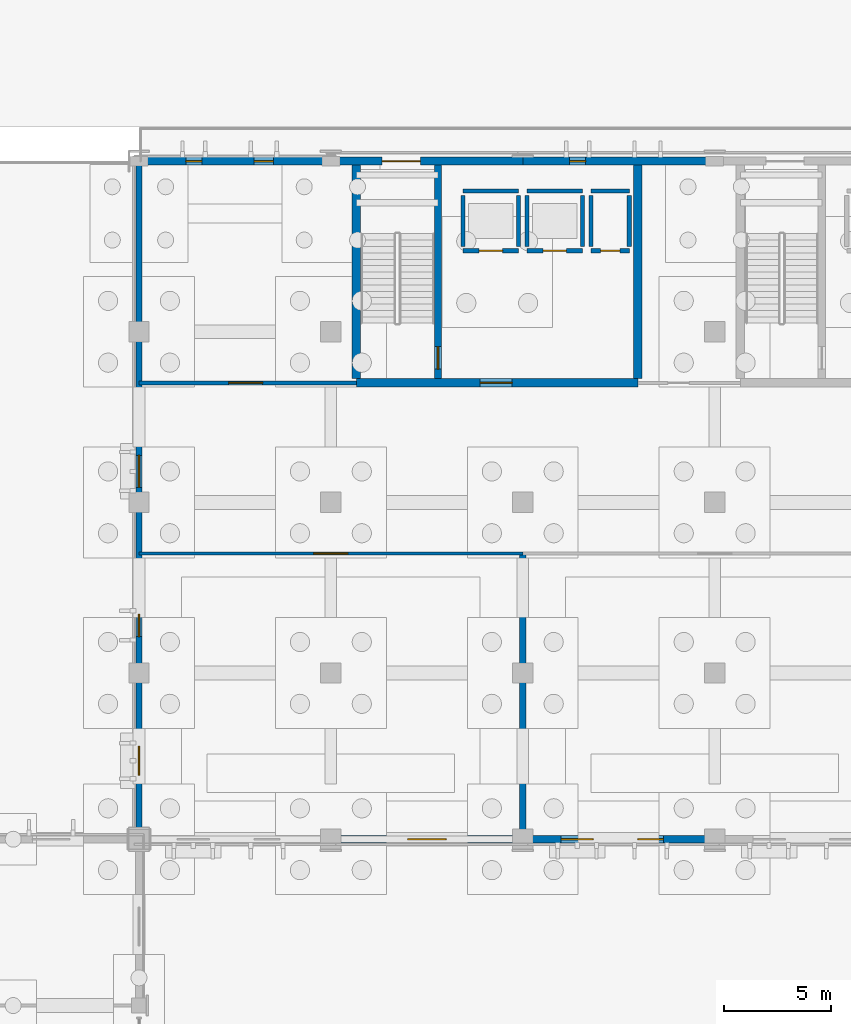
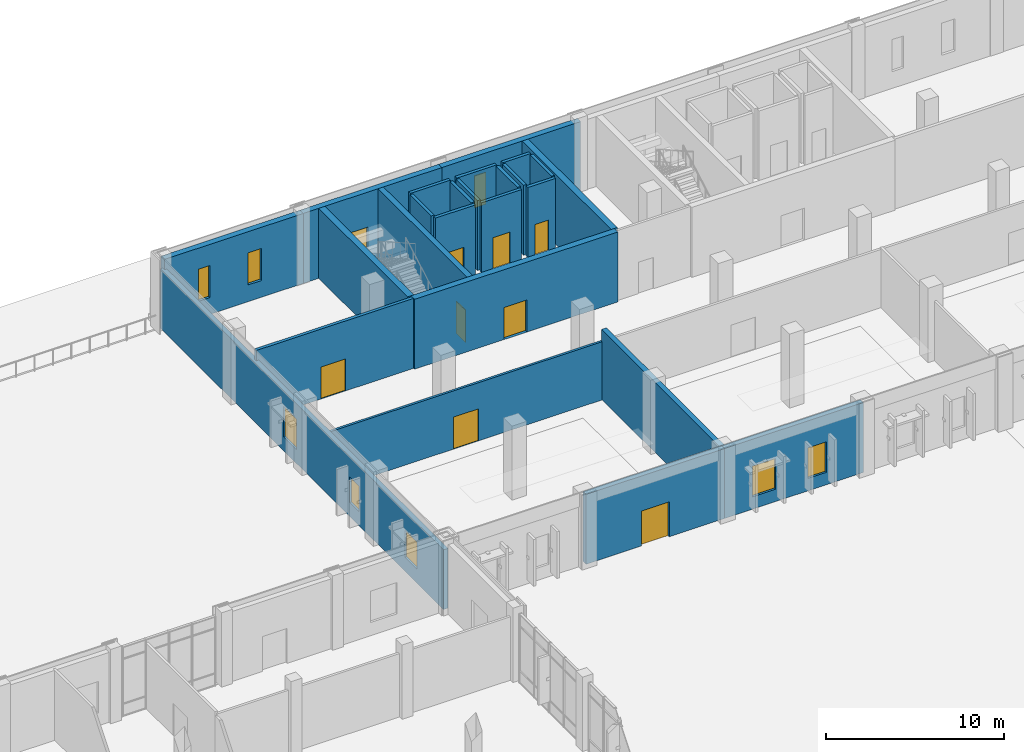
# One storey, part 66 of 94: 25 walls, 9 doors, 8 windows, 17 openings.
"""IFC4 building model written with IfcOpenShell, lengths in metres."""

from ifc_helpers import new_model, si_unit, direction, frame, frame_2d, origin, place, context, subcontext, project, spatial, rectangle, extrude, material, layer, layer_set, type_object, element, fill, save


model = new_model("IFC4")

# Units and contexts
model_context = context("Model", 3, precision=1e-05, world=origin(), true_north=direction((0.0, 1.0)))
body_context = subcontext(model_context, "Body", "Model", "MODEL_VIEW")
ifc_project = project(units=[si_unit("LENGTHUNIT", "METRE"), si_unit("AREAUNIT", "SQUARE_METRE"), si_unit("VOLUMEUNIT", "CUBIC_METRE"), si_unit("PLANEANGLEUNIT", "RADIAN"), si_unit("MASSUNIT", "GRAM", prefix="KILO")], contexts=[model_context])

# Site, building, storey
site_placement = place(None, origin())
site = spatial("IfcSite", under=ifc_project, at=site_placement, CompositionType="ELEMENT")
building_placement = place(site_placement, origin())
building = spatial("IfcBuilding", under=site, at=building_placement, Name="Vervanel Yard Central Library", CompositionType="ELEMENT")
storey_placement = place(building_placement, origin())
storey = spatial("IfcBuildingStorey", under=building, at=storey_placement, Name="L00", CompositionType="ELEMENT", Elevation=0.0)

# Wall, openings, windows
ifc_material_1 = material(Name="Precast concrete C45/55", Category="concrete")
ifc_layer_1 = layer(ifc_material_1, 0.300048828125, Category="concrete")
ifc_layer_set_1 = layer_set([ifc_layer_1], Name="Precast concrete C45/55")
wall_type_1 = type_object("IfcWallType", Name="Bush-Hammered Precast Cladding Wall 300", PredefinedType="SOLIDWALL", material=ifc_layer_set_1)
wall_1_placement = place(storey_placement, frame((36.0, 82.199951171875, 0.0), z_axis=(0.0, 0.0, 1.0), x_axis=(0.0, 1.0, 0.0)))
wall_1 = element("IfcWall", 1, at=wall_1_placement, inside=storey, type_object=wall_type_1, Name="L00 Bush-Hammered Precast Cladding Wall 300 EWALL-L00-0017", PredefinedType="SOLIDWALL", context=body_context, shape_type="SweptSolid", body=[
    extrude(rectangle(XDim=31.800048828125, YDim=0.300048828125, at=frame_2d((15.89990234375, 0.0))), origin(), (0.0, 0.0, 1.0), 4.094970703125),
])
opening_1_placement = place(wall_1_placement, frame((3.0, 0.0, 0.949951171875)))
opening_1 = element("IfcOpeningElement", 2, at=opening_1_placement, cuts=wall_1, Name="Opening WN-17", PredefinedType="OPENING", context=body_context, shape_type="SweptSolid", body=[
    extrude(rectangle(XDim=1.35009765625, YDim=1.85009765625, at=frame_2d((0.675048828125, 0.925048828125))), frame((0.0, 0.159912109375, 0.0), z_axis=(0.0, -1.0, 0.0), x_axis=(1.0, 0.0, 0.0)), (0.0, 0.0, 1.0), 0.320068359375),
])
opening_2_placement = place(wall_1_placement, frame((9.5, 0.0, 0.949951171875)))
opening_2 = element("IfcOpeningElement", 3, at=opening_2_placement, cuts=wall_1, Name="Opening WN-16", PredefinedType="OPENING", context=body_context, shape_type="SweptSolid", body=[
    extrude(rectangle(XDim=1.050048828125, YDim=1.75, at=frame_2d((0.52490234375, 0.875))), frame((0.0, 0.159912109375, 0.0), z_axis=(0.0, -1.0, 0.0), x_axis=(1.0, 0.0, 0.0)), (0.0, 0.0, 1.0), 0.320068359375),
])
opening_3_placement = place(wall_1_placement, frame((16.5, 0.0, 0.949951171875)))
opening_3 = element("IfcOpeningElement", 4, at=opening_3_placement, cuts=wall_1, Name="Opening WN-02", PredefinedType="OPENING", context=body_context, shape_type="SweptSolid", body=[
    extrude(rectangle(XDim=1.5, YDim=2.10009765625, at=frame_2d((0.75, 1.050048828125))), frame((0.0, 0.159912109375, 0.0), z_axis=(0.0, -1.0, 0.0), x_axis=(1.0, 0.0, 0.0)), (0.0, 0.0, 1.0), 0.320068359375),
])
ifc_material_2 = material(Name="Double low-E laminated solar-control glass", Category="glass")
window_type_1 = type_object("IfcWindowType", Name="Archive Office Window 1350x1850", PartitioningType="SINGLE_PANEL", PredefinedType="WINDOW", material=ifc_material_2)
window_1_placement = place(opening_1_placement, origin())
window_1 = element("IfcWindow", 5, at=window_1_placement, inside=storey, type_object=window_type_1, Name="L00 Archive Office Window 1350x1850 25", OverallHeight=1.85009765625, OverallWidth=1.35009765625, PartitioningType="SINGLE_PANEL", PredefinedType="WINDOW", context=body_context, shape_type="SweptSolid", body=[
    extrude(rectangle(XDim=1.35009765625, YDim=1.85009765625, at=frame_2d((0.675048828125, 0.925048828125))), frame((0.0, 0.030029296875, 0.0), z_axis=(0.0, -1.0, 0.0), x_axis=(1.0, 0.0, 0.0)), (0.0, 0.0, 1.0), 0.06005859375),
])
fill(opening_1, window_1)
window_type_2 = type_object("IfcWindowType", Name="Reading Bay Window 1500x2100", PartitioningType="SINGLE_PANEL", PredefinedType="WINDOW", material=ifc_material_2)
window_2_placement = place(opening_3_placement, origin())
window_2 = element("IfcWindow", 6, at=window_2_placement, inside=storey, type_object=window_type_2, Name="L00 Reading Bay Window 1500x2100 27", OverallHeight=2.10009765625, OverallWidth=1.5, PartitioningType="SINGLE_PANEL", PredefinedType="WINDOW", context=body_context, shape_type="SweptSolid", body=[
    extrude(rectangle(XDim=1.5, YDim=2.10009765625, at=frame_2d((0.75, 1.050048828125))), frame((0.0, 0.030029296875, 0.0), z_axis=(0.0, -1.0, 0.0), x_axis=(1.0, 0.0, 0.0)), (0.0, 0.0, 1.0), 0.06005859375),
])
fill(opening_3, window_2)
window_type_3 = type_object("IfcWindowType", Name="Study Carrel Punch Window 1050x1750", PartitioningType="SINGLE_PANEL", PredefinedType="WINDOW", material=ifc_material_2)
window_3_placement = place(opening_2_placement, origin())
window_3 = element("IfcWindow", 7, at=window_3_placement, inside=storey, type_object=window_type_3, Name="L00 Study Carrel Punch Window 1050x1750 26", OverallHeight=1.75, OverallWidth=1.050048828125, PartitioningType="SINGLE_PANEL", PredefinedType="WINDOW", context=body_context, shape_type="SweptSolid", body=[
    extrude(rectangle(XDim=1.050048828125, YDim=1.75, at=frame_2d((0.52490234375, 0.875))), frame((0.0, 0.030029296875, 0.0), z_axis=(0.0, -1.0, 0.0), x_axis=(1.0, 0.0, 0.0)), (0.0, 0.0, 1.0), 0.06005859375),
])
fill(opening_2, window_3)

# Wall, opening, door
ifc_material_3 = material(Name="Concrete C45/55", Category="concrete")
ifc_layer_2 = layer(ifc_material_3, 0.39990234375, Category="concrete")
ifc_layer_set_2 = layer_set([ifc_layer_2], Name="Concrete C45/55")
wall_type_2 = type_object("IfcWallType", Name="Core Primary Shear Wall 400", PredefinedType="SHEAR", material=ifc_layer_set_2)
wall_2_placement = place(storey_placement, frame((46.199951171875, 103.60009765625, 0.0), z_axis=(0.0, 0.0, 1.0), x_axis=(1.0, 0.0, 0.0)))
wall_2 = element("IfcWall", 8, at=wall_2_placement, inside=storey, type_object=wall_type_2, Name="L00 CORE-A Shear Wall S", PredefinedType="SHEAR", context=body_context, shape_type="SweptSolid", body=[
    extrude(rectangle(XDim=13.199951171875, YDim=0.39990234375, at=frame_2d((6.60009765625, 0.0))), origin(), (0.0, 0.0, 1.0), 4.800048828125),
])
opening_4_placement = place(wall_2_placement, frame((5.800048828125, 0.0, 0.0)))
opening_4 = element("IfcOpeningElement", 9, at=opening_4_placement, cuts=wall_2, Name="Opening DR-F02", PredefinedType="OPENING", context=body_context, shape_type="SweptSolid", body=[
    extrude(rectangle(XDim=1.5, YDim=2.199951171875, at=frame_2d((0.75, 1.10009765625))), frame((0.0, 0.2099609375, 0.0), z_axis=(0.0, -1.0, 0.0), x_axis=(1.0, 0.0, 0.0)), (0.0, 0.0, 1.0), 0.419921875),
])
ifc_material_4 = material(Name="Galvanized painted steelwork ASTM A500 Grade C", Category="steel")
door_type_1 = type_object("IfcDoorType", Name="Fire-Rated Lobby Door 1500x2200", OperationType="NOTDEFINED", PredefinedType="DOOR", material=ifc_material_4)
door_1_placement = place(opening_4_placement, origin())
door_1 = element("IfcDoor", 10, at=door_1_placement, inside=storey, type_object=door_type_1, Name="L00 CORE-A Lobby Fire Door", OperationType="DOUBLE_DOOR_SINGLE_SWING", OverallHeight=2.199951171875, OverallWidth=1.5, PredefinedType="DOOR", context=body_context, shape_type="SweptSolid", body=[
    extrude(rectangle(XDim=1.5, YDim=2.199951171875, at=frame_2d((0.75, 1.10009765625))), frame((0.0, 0.02490234375, 0.0), z_axis=(0.0, -1.0, 0.0), x_axis=(1.0, 0.0, 0.0)), (0.0, 0.0, 1.0), 0.050048828125),
])
fill(opening_4, door_1)

# Walls
for number, where, z_axis, x_axis, name in (
    (11, (46.199951171875, 103.800048828125, 0.0), (0.0, 0.0, 1.0), (0.0, 1.0, 0.0), "L00 CORE-A Shear Wall W"),
    (12, (59.39990234375, 103.800048828125, 0.0), (0.0, 0.0, 1.0), (0.0, 1.0, 0.0), "L00 CORE-A Shear Wall E"),
):
    element("IfcWall", number, at=place(storey_placement, frame(where, z_axis=z_axis, x_axis=x_axis)), inside=storey, type_object=wall_type_2, Name=name, PredefinedType="SHEAR", context=body_context, shape_type="SweptSolid", body=[
        extrude(rectangle(XDim=10.010009765625, YDim=0.39990234375, at=frame_2d((5.0048828125, 0.0))), origin(), (0.0, 0.0, 1.0), 4.800048828125),
    ])

# Wall, opening, door
ifc_layer_3 = layer(ifc_material_3, 0.35009765625, Category="concrete")
ifc_layer_set_3 = layer_set([ifc_layer_3], Name="Concrete C45/55")
wall_type_3 = type_object("IfcWallType", Name="Core Secondary Shear Wall 350", PredefinedType="SHEAR", material=ifc_layer_set_3)
wall_3_placement = place(storey_placement, frame((50.02490234375, 103.800048828125, 0.0), z_axis=(0.0, 0.0, 1.0), x_axis=(0.0, 1.0, 0.0)))
wall_3 = element("IfcWall", 13, at=wall_3_placement, inside=storey, type_object=wall_type_3, Name="L00 CORE-A Stair Shaft Wall", PredefinedType="SHEAR", context=body_context, shape_type="SweptSolid", body=[
    extrude(rectangle(XDim=10.010009765625, YDim=0.35009765625, at=frame_2d((5.0048828125, 0.0))), origin(), (0.0, 0.0, 1.0), 4.800048828125),
])
opening_5_placement = place(wall_3_placement, frame((0.449951171875, 0.0, 0.0)))
opening_5 = element("IfcOpeningElement", 14, at=opening_5_placement, cuts=wall_3, Name="Opening DR-F01", PredefinedType="OPENING", context=body_context, shape_type="SweptSolid", body=[
    extrude(rectangle(XDim=1.050048828125, YDim=2.199951171875, at=frame_2d((0.52490234375, 1.10009765625))), frame((0.0, 0.18505859375, 0.0), z_axis=(0.0, -1.0, 0.0), x_axis=(1.0, 0.0, 0.0)), (0.0, 0.0, 1.0), 0.3701171875),
])
door_type_2 = type_object("IfcDoorType", Name="Fire-Rated Stair Exit Door 1050x2200", OperationType="NOTDEFINED", PredefinedType="DOOR", material=ifc_material_4)
door_2_placement = place(opening_5_placement, origin())
door_2 = element("IfcDoor", 15, at=door_2_placement, inside=storey, type_object=door_type_2, Name="L00 CORE-A Stair Door", OperationType="SINGLE_SWING_LEFT", OverallHeight=2.199951171875, OverallWidth=1.050048828125, PredefinedType="DOOR", context=body_context, shape_type="SweptSolid", body=[
    extrude(rectangle(XDim=1.050048828125, YDim=2.199951171875, at=frame_2d((0.52490234375, 1.10009765625))), frame((0.0, 0.02490234375, 0.0), z_axis=(0.0, -1.0, 0.0), x_axis=(1.0, 0.0, 0.0)), (0.0, 0.0, 1.0), 0.050048828125),
])
fill(opening_5, door_2)

ifc_layer_4 = layer(ifc_material_3, 0.340087890625, Category="concrete")
ifc_layer_set_4 = layer_set([ifc_layer_4], Name="Concrete C45/55")
wall_type_4 = type_object("IfcWallType", Name="Exterior Bearing Concrete Frame Wall 340", PredefinedType="SOLIDWALL", material=ifc_layer_set_4)
wall_4_placement = place(storey_placement, frame((45.0, 82.199951171875, 0.0), z_axis=(0.0, 0.0, 1.0), x_axis=(1.0, 0.0, 0.0)))
wall_4 = element("IfcWall", 16, at=wall_4_placement, inside=storey, type_object=wall_type_4, Name="L00 Exterior Bearing Concrete Frame Wall 340 EWALL-L00-0012", PredefinedType="SOLIDWALL", context=body_context, shape_type="SweptSolid", body=[
    extrude(rectangle(XDim=9.0, YDim=0.340087890625, at=frame_2d((4.5, 0.0))), origin(), (0.0, 0.0, 1.0), 4.800048828125),
])
opening_6_placement = place(wall_4_placement, frame((3.60009765625, 0.0, 0.0)))
opening_6 = element("IfcOpeningElement", 17, at=opening_6_placement, cuts=wall_4, Name="Opening DR-E02", PredefinedType="OPENING", context=body_context, shape_type="SweptSolid", body=[
    extrude(rectangle(XDim=1.800048828125, YDim=2.39990234375, at=frame_2d((0.89990234375, 1.199951171875))), frame((0.0, 0.179931640625, 0.0), z_axis=(0.0, -1.0, 0.0), x_axis=(1.0, 0.0, 0.0)), (0.0, 0.0, 1.0), 0.360107421875),
])
ifc_material_5 = material(Name="Galvanized hollow steel door assembly", Category="steel")
door_type_3 = type_object("IfcDoorType", Name="Double Pedestrian Exit Door 1800x2400", OperationType="NOTDEFINED", PredefinedType="DOOR", material=ifc_material_5)
door_3_placement = place(opening_6_placement, frame((1.800048828125, 0.0, 0.0), z_axis=(0.0, 0.0, 1.0), x_axis=(-1.0, 0.0, 0.0)))
door_3 = element("IfcDoor", 18, at=door_3_placement, inside=storey, type_object=door_type_3, Name="L00 Double Pedestrian Exit Door 1800x2400 7", OperationType="DOUBLE_DOOR_SINGLE_SWING", OverallHeight=2.39990234375, OverallWidth=1.800048828125, PredefinedType="DOOR", context=body_context, shape_type="SweptSolid", body=[
    extrude(rectangle(XDim=1.800048828125, YDim=2.39990234375, at=frame_2d((0.89990234375, 1.199951171875))), frame((0.0, 0.02490234375, 0.0), z_axis=(0.0, -1.0, 0.0), x_axis=(1.0, 0.0, 0.0)), (0.0, 0.0, 1.0), 0.050048828125),
])
fill(opening_6, door_3)

# Wall, openings, windows
wall_5_placement = place(storey_placement, frame((54.0, 82.199951171875, 0.0), z_axis=(0.0, 0.0, 1.0), x_axis=(1.0, 0.0, 0.0)))
wall_5 = element("IfcWall", 19, at=wall_5_placement, inside=storey, type_object=wall_type_4, Name="L00 Exterior Bearing Concrete Frame Wall 340 EWALL-L00-0013", PredefinedType="SOLIDWALL", context=body_context, shape_type="SweptSolid", body=[
    extrude(rectangle(XDim=9.0, YDim=0.340087890625, at=frame_2d((4.5, 0.0))), origin(), (0.0, 0.0, 1.0), 4.800048828125),
])
opening_7_placement = place(wall_5_placement, frame((1.800048828125, 0.0, 0.85009765625)))
opening_7 = element("IfcOpeningElement", 20, at=opening_7_placement, cuts=wall_5, Name="Opening WN-02", PredefinedType="OPENING", context=body_context, shape_type="SweptSolid", body=[
    extrude(rectangle(XDim=1.5, YDim=2.10009765625, at=frame_2d((0.75, 1.050048828125))), frame((0.0, 0.179931640625, 0.0), z_axis=(0.0, -1.0, 0.0), x_axis=(1.0, 0.0, 0.0)), (0.0, 0.0, 1.0), 0.360107421875),
])
opening_8_placement = place(wall_5_placement, frame((5.39990234375, 0.0, 0.85009765625)))
opening_8 = element("IfcOpeningElement", 21, at=opening_8_placement, cuts=wall_5, Name="Opening WN-01", PredefinedType="OPENING", context=body_context, shape_type="SweptSolid", body=[
    extrude(rectangle(XDim=1.199951171875, YDim=2.10009765625, at=frame_2d((0.60009765625, 1.050048828125))), frame((0.0, 0.179931640625, 0.0), z_axis=(0.0, -1.0, 0.0), x_axis=(1.0, 0.0, 0.0)), (0.0, 0.0, 1.0), 0.360107421875),
])
window_4_placement = place(opening_7_placement, origin())
window_4 = element("IfcWindow", 22, at=window_4_placement, inside=storey, type_object=window_type_2, Name="L00 Reading Bay Window 1500x2100 17", OverallHeight=2.10009765625, OverallWidth=1.5, PartitioningType="SINGLE_PANEL", PredefinedType="WINDOW", context=body_context, shape_type="SweptSolid", body=[
    extrude(rectangle(XDim=1.5, YDim=2.10009765625, at=frame_2d((0.75, 1.050048828125))), frame((0.0, 0.030029296875, 0.0), z_axis=(0.0, -1.0, 0.0), x_axis=(1.0, 0.0, 0.0)), (0.0, 0.0, 1.0), 0.06005859375),
])
fill(opening_7, window_4)
window_type_4 = type_object("IfcWindowType", Name="Reading Slot Window 1200x2100", PartitioningType="SINGLE_PANEL", PredefinedType="WINDOW", material=ifc_material_2)
window_5_placement = place(opening_8_placement, origin())
window_5 = element("IfcWindow", 23, at=window_5_placement, inside=storey, type_object=window_type_4, Name="L00 Reading Slot Window 1200x2100 18", OverallHeight=2.10009765625, OverallWidth=1.199951171875, PartitioningType="SINGLE_PANEL", PredefinedType="WINDOW", context=body_context, shape_type="SweptSolid", body=[
    extrude(rectangle(XDim=1.199951171875, YDim=2.10009765625, at=frame_2d((0.60009765625, 1.050048828125))), frame((0.0, 0.030029296875, 0.0), z_axis=(0.0, -1.0, 0.0), x_axis=(1.0, 0.0, 0.0)), (0.0, 0.0, 1.0), 0.06005859375),
])
fill(opening_8, window_5)

ifc_layer_5 = layer(ifc_material_3, 0.3798828125, Category="concrete")
ifc_layer_set_5 = layer_set([ifc_layer_5], Name="Concrete C45/55")
wall_type_5 = type_object("IfcWallType", Name="Exterior Bearing Concrete Spine Wall 380", PredefinedType="SOLIDWALL", material=ifc_layer_set_5)
wall_6_placement = place(storey_placement, frame((36.0, 114.0, 0.0), z_axis=(0.0, 0.0, 1.0), x_axis=(1.0, 0.0, 0.0)))
wall_6 = element("IfcWall", 24, at=wall_6_placement, inside=storey, type_object=wall_type_5, Name="L00 Exterior Bearing Concrete Spine Wall 380 EWALL-L00-0001", PredefinedType="SOLIDWALL", context=body_context, shape_type="SweptSolid", body=[
    extrude(rectangle(XDim=9.0, YDim=0.3798828125, at=frame_2d((4.5, 0.0))), origin(), (0.0, 0.0, 1.0), 4.800048828125),
])
opening_9_placement = place(wall_6_placement, frame((2.199951171875, 0.0, 1.14990234375)))
opening_9 = element("IfcOpeningElement", 25, at=opening_9_placement, cuts=wall_6, Name="Opening WN-04", PredefinedType="OPENING", context=body_context, shape_type="SweptSolid", body=[
    extrude(rectangle(XDim=0.75, YDim=2.199951171875, at=frame_2d((0.375, 1.10009765625))), frame((0.0, 0.199951171875, 0.0), z_axis=(0.0, -1.0, 0.0), x_axis=(1.0, 0.0, 0.0)), (0.0, 0.0, 1.0), 0.39990234375),
])
opening_10_placement = place(wall_6_placement, frame((5.39990234375, 0.0, 1.14990234375)))
opening_10 = element("IfcOpeningElement", 26, at=opening_10_placement, cuts=wall_6, Name="Opening WN-05", PredefinedType="OPENING", context=body_context, shape_type="SweptSolid", body=[
    extrude(rectangle(XDim=0.89990234375, YDim=2.199951171875, at=frame_2d((0.449951171875, 1.10009765625))), frame((0.0, 0.199951171875, 0.0), z_axis=(0.0, -1.0, 0.0), x_axis=(1.0, 0.0, 0.0)), (0.0, 0.0, 1.0), 0.39990234375),
])
window_type_5 = type_object("IfcWindowType", Name="Stack Deep-Reveal Window 900x2200", PartitioningType="SINGLE_PANEL", PredefinedType="WINDOW", material=ifc_material_2)
window_6_placement = place(opening_10_placement, origin())
window_6 = element("IfcWindow", 27, at=window_6_placement, inside=storey, type_object=window_type_5, Name="L00 Stack Deep-Reveal Window 900x2200 2", OverallHeight=2.199951171875, OverallWidth=0.89990234375, PartitioningType="SINGLE_PANEL", PredefinedType="WINDOW", context=body_context, shape_type="SweptSolid", body=[
    extrude(rectangle(XDim=0.89990234375, YDim=2.199951171875, at=frame_2d((0.449951171875, 1.10009765625))), frame((0.0, 0.030029296875, 0.0), z_axis=(0.0, -1.0, 0.0), x_axis=(1.0, 0.0, 0.0)), (0.0, 0.0, 1.0), 0.06005859375),
])
fill(opening_10, window_6)
window_type_6 = type_object("IfcWindowType", Name="Stack Narrow UV-Filtered Window 750x2200", PartitioningType="SINGLE_PANEL", PredefinedType="WINDOW", material=ifc_material_2)
window_7_placement = place(opening_9_placement, origin())
window_7 = element("IfcWindow", 28, at=window_7_placement, inside=storey, type_object=window_type_6, Name="L00 Stack Narrow UV-Filtered Window 750x2200 1", OverallHeight=2.199951171875, OverallWidth=0.75, PartitioningType="SINGLE_PANEL", PredefinedType="WINDOW", context=body_context, shape_type="SweptSolid", body=[
    extrude(rectangle(XDim=0.75, YDim=2.199951171875, at=frame_2d((0.375, 1.10009765625))), frame((0.0, 0.030029296875, 0.0), z_axis=(0.0, -1.0, 0.0), x_axis=(1.0, 0.0, 0.0)), (0.0, 0.0, 1.0), 0.06005859375),
])
fill(opening_9, window_7)

# Wall, opening, door
wall_7_placement = place(storey_placement, frame((45.0, 114.0, 0.0), z_axis=(0.0, 0.0, 1.0), x_axis=(1.0, 0.0, 0.0)))
wall_7 = element("IfcWall", 29, at=wall_7_placement, inside=storey, type_object=wall_type_5, Name="L00 Exterior Bearing Concrete Spine Wall 380 EWALL-L00-0002", PredefinedType="SOLIDWALL", context=body_context, shape_type="SweptSolid", body=[
    extrude(rectangle(XDim=9.0, YDim=0.3798828125, at=frame_2d((4.5, 0.0))), origin(), (0.0, 0.0, 1.0), 4.800048828125),
])
opening_11_placement = place(wall_7_placement, frame((2.39990234375, 0.0, 0.0)))
opening_11 = element("IfcOpeningElement", 30, at=opening_11_placement, cuts=wall_7, Name="Opening DR-E02", PredefinedType="OPENING", context=body_context, shape_type="SweptSolid", body=[
    extrude(rectangle(XDim=1.800048828125, YDim=2.39990234375, at=frame_2d((0.89990234375, 1.199951171875))), frame((0.0, 0.199951171875, 0.0), z_axis=(0.0, -1.0, 0.0), x_axis=(1.0, 0.0, 0.0)), (0.0, 0.0, 1.0), 0.39990234375),
])
door_4_placement = place(opening_11_placement, origin())
door_4 = element("IfcDoor", 31, at=door_4_placement, inside=storey, type_object=door_type_3, Name="L00 Double Pedestrian Exit Door 1800x2400 1", OperationType="DOUBLE_DOOR_SINGLE_SWING", OverallHeight=2.39990234375, OverallWidth=1.800048828125, PredefinedType="DOOR", context=body_context, shape_type="SweptSolid", body=[
    extrude(rectangle(XDim=1.800048828125, YDim=2.39990234375, at=frame_2d((0.89990234375, 1.199951171875))), frame((0.0, 0.02490234375, 0.0), z_axis=(0.0, -1.0, 0.0), x_axis=(1.0, 0.0, 0.0)), (0.0, 0.0, 1.0), 0.050048828125),
])
fill(opening_11, door_4)

# Wall, opening, window
wall_8_placement = place(storey_placement, frame((54.0, 114.0, 0.0), z_axis=(0.0, 0.0, 1.0), x_axis=(1.0, 0.0, 0.0)))
wall_8 = element("IfcWall", 32, at=wall_8_placement, inside=storey, type_object=wall_type_5, Name="L00 Exterior Bearing Concrete Spine Wall 380 EWALL-L00-0003", PredefinedType="SOLIDWALL", context=body_context, shape_type="SweptSolid", body=[
    extrude(rectangle(XDim=9.0, YDim=0.3798828125, at=frame_2d((4.5, 0.0))), origin(), (0.0, 0.0, 1.0), 4.800048828125),
])
opening_12_placement = place(wall_8_placement, frame((2.199951171875, 0.0, 1.14990234375)))
opening_12 = element("IfcOpeningElement", 33, at=opening_12_placement, cuts=wall_8, Name="Opening WN-04", PredefinedType="OPENING", context=body_context, shape_type="SweptSolid", body=[
    extrude(rectangle(XDim=0.75, YDim=2.199951171875, at=frame_2d((0.375, 1.10009765625))), frame((0.0, 0.199951171875, 0.0), z_axis=(0.0, -1.0, 0.0), x_axis=(1.0, 0.0, 0.0)), (0.0, 0.0, 1.0), 0.39990234375),
])
window_8_placement = place(opening_12_placement, origin())
window_8 = element("IfcWindow", 34, at=window_8_placement, inside=storey, type_object=window_type_6, Name="L00 Stack Narrow UV-Filtered Window 750x2200 3", OverallHeight=2.199951171875, OverallWidth=0.75, PartitioningType="SINGLE_PANEL", PredefinedType="WINDOW", context=body_context, shape_type="SweptSolid", body=[
    extrude(rectangle(XDim=0.75, YDim=2.199951171875, at=frame_2d((0.375, 1.10009765625))), frame((0.0, 0.030029296875, 0.0), z_axis=(0.0, -1.0, 0.0), x_axis=(1.0, 0.0, 0.0)), (0.0, 0.0, 1.0), 0.06005859375),
])
fill(opening_12, window_8)

# Wall, opening, door
ifc_material_6 = material(Name="Fire-rated gypsum board on steel studs", Category="steel")
ifc_layer_6 = layer(ifc_material_6, 0.14990234375, Category="steel")
ifc_layer_set_6 = layer_set([ifc_layer_6], Name="Fire-rated gypsum board on steel studs")
wall_type_6 = type_object("IfcWallType", Name="Interior Partition 150", PredefinedType="PARTITIONING", material=ifc_layer_set_6)
wall_9_placement = place(storey_placement, frame((36.0, 95.60009765625, 0.0), z_axis=(0.0, 0.0, 1.0), x_axis=(1.0, 0.0, 0.0)))
wall_9 = element("IfcWall", 35, at=wall_9_placement, inside=storey, type_object=wall_type_6, Name="L00 Interior Partition 150 IPART-L00-0001", PredefinedType="PARTITIONING", context=body_context, shape_type="SweptSolid", body=[
    extrude(rectangle(XDim=18.0, YDim=0.14990234375, at=frame_2d((9.0, 0.0))), origin(), (0.0, 0.0, 1.0), 3.9951171875),
])
opening_13_placement = place(wall_9_placement, frame((8.199951171875, 0.0, 0.0)))
opening_13 = element("IfcOpeningElement", 36, at=opening_13_placement, cuts=wall_9, Name="Opening DR-04", PredefinedType="OPENING", context=body_context, shape_type="SweptSolid", body=[
    extrude(rectangle(XDim=1.60009765625, YDim=2.199951171875, at=frame_2d((0.800048828125, 1.10009765625))), frame((0.0, 0.0849609375, 0.0), z_axis=(0.0, -1.0, 0.0), x_axis=(1.0, 0.0, 0.0)), (0.0, 0.0, 1.0), 0.169921875),
])
ifc_material_7 = material(Name="Solid white oak acoustic joinery", Category="wood")
door_type_4 = type_object("IfcDoorType", Name="Interior Double Reading Door 1600x2200", OperationType="NOTDEFINED", PredefinedType="DOOR", material=ifc_material_7)
door_5_placement = place(opening_13_placement, origin())
door_5 = element("IfcDoor", 37, at=door_5_placement, inside=storey, type_object=door_type_4, Name="L00 Interior Double Reading Door 1600x2200 IDOOR-L00-0001", OperationType="DOUBLE_DOOR_SINGLE_SWING", OverallHeight=2.199951171875, OverallWidth=1.60009765625, PredefinedType="DOOR", context=body_context, shape_type="SweptSolid", body=[
    extrude(rectangle(XDim=1.60009765625, YDim=2.199951171875, at=frame_2d((0.800048828125, 1.10009765625))), frame((0.0, 0.02490234375, 0.0), z_axis=(0.0, -1.0, 0.0), x_axis=(1.0, 0.0, 0.0)), (0.0, 0.0, 1.0), 0.050048828125),
])
fill(opening_13, door_5)

ifc_material_8 = material(Name="Concrete C40/50", Category="concrete")
ifc_layer_7 = layer(ifc_material_8, 0.199951171875, Category="concrete")
ifc_layer_set_7 = layer_set([ifc_layer_7], Name="Concrete C40/50")
wall_type_7 = type_object("IfcWallType", Name="Shaft & Plant Rated Wall 200", PredefinedType="PARTITIONING", material=ifc_layer_set_7)
wall_10_placement = place(storey_placement, frame((51.199951171875, 109.800048828125, 0.0), z_axis=(0.0, 0.0, 1.0), x_axis=(1.0, 0.0, 0.0)))
wall_10 = element("IfcWall", 38, at=wall_10_placement, inside=storey, type_object=wall_type_7, Name="L00 CORE-A-L00-EL-01 Shaft Wall S", PredefinedType="PARTITIONING", context=body_context, shape_type="SweptSolid", body=[
    extrude(rectangle(XDim=2.60009765625, YDim=0.199951171875, at=frame_2d((1.300048828125, 0.0))), origin(), (0.0, 0.0, 1.0), 4.800048828125),
])
opening_14_placement = place(wall_10_placement, frame((0.75, 0.0, 0.0)))
opening_14 = element("IfcOpeningElement", 39, at=opening_14_placement, cuts=wall_10, Name="Opening LD-01", PredefinedType="OPENING", context=body_context, shape_type="SweptSolid", body=[
    extrude(rectangle(XDim=1.10009765625, YDim=2.14990234375, at=frame_2d((0.550048828125, 1.074951171875))), frame((0.0, 0.10986328125, 0.0), z_axis=(0.0, -1.0, 0.0), x_axis=(1.0, 0.0, 0.0)), (0.0, 0.0, 1.0), 0.219970703125),
])
ifc_material_9 = material(Name="Brushed stainless steel AISI 316", Category="steel")
door_type_5 = type_object("IfcDoorType", Name="Passenger Lift Sliding Landing Door 1100x2150", OperationType="NOTDEFINED", PredefinedType="DOOR", material=ifc_material_9)
door_6_placement = place(opening_14_placement, origin())
door_6 = element("IfcDoor", 40, at=door_6_placement, inside=storey, type_object=door_type_5, Name="L00 Lift EL-01 Landing Door", OperationType="SLIDING_TO_LEFT", OverallHeight=2.14990234375, OverallWidth=1.10009765625, PredefinedType="DOOR", context=body_context, shape_type="SweptSolid", body=[
    extrude(rectangle(XDim=1.10009765625, YDim=2.14990234375, at=frame_2d((0.550048828125, 1.074951171875))), frame((0.0, 0.02490234375, 0.0), z_axis=(0.0, -1.0, 0.0), x_axis=(1.0, 0.0, 0.0)), (0.0, 0.0, 1.0), 0.050048828125),
])
fill(opening_14, door_6)

# Walls
wall_11_placement = place(storey_placement, frame((51.199951171875, 112.60009765625, 0.0), z_axis=(0.0, 0.0, 1.0), x_axis=(1.0, 0.0, 0.0)))
element("IfcWall", 41, at=wall_11_placement, inside=storey, type_object=wall_type_7, Name="L00 CORE-A-L00-EL-01 Shaft Wall N", PredefinedType="PARTITIONING", context=body_context, shape_type="SweptSolid", body=[
    extrude(rectangle(XDim=2.60009765625, YDim=0.199951171875, at=frame_2d((1.300048828125, 0.0))), origin(), (0.0, 0.0, 1.0), 4.800048828125),
])
for number, where, z_axis, x_axis, name in (
    (42, (51.199951171875, 110.0, 0.0), (0.0, 0.0, 1.0), (0.0, 1.0, 0.0), "L00 CORE-A-L00-EL-01 Shaft Wall W"),
    (43, (53.800048828125, 110.0, 0.0), (0.0, 0.0, 1.0), (0.0, 1.0, 0.0), "L00 CORE-A-L00-EL-01 Shaft Wall E"),
):
    element("IfcWall", number, at=place(storey_placement, frame(where, z_axis=z_axis, x_axis=x_axis)), inside=storey, type_object=wall_type_7, Name=name, PredefinedType="PARTITIONING", context=body_context, shape_type="SweptSolid", body=[
        extrude(rectangle(XDim=2.39990234375, YDim=0.199951171875, at=frame_2d((1.199951171875, 0.0))), origin(), (0.0, 0.0, 1.0), 4.800048828125),
    ])

# Wall, opening, door
wall_12_placement = place(storey_placement, frame((54.199951171875, 109.800048828125, 0.0), z_axis=(0.0, 0.0, 1.0), x_axis=(1.0, 0.0, 0.0)))
wall_12 = element("IfcWall", 44, at=wall_12_placement, inside=storey, type_object=wall_type_7, Name="L00 CORE-A-L00-EL-02 Shaft Wall S", PredefinedType="PARTITIONING", context=body_context, shape_type="SweptSolid", body=[
    extrude(rectangle(XDim=2.60009765625, YDim=0.199951171875, at=frame_2d((1.300048828125, 0.0))), origin(), (0.0, 0.0, 1.0), 4.800048828125),
])
opening_15_placement = place(wall_12_placement, frame((0.75, 0.0, 0.0)))
opening_15 = element("IfcOpeningElement", 45, at=opening_15_placement, cuts=wall_12, Name="Opening LD-01", PredefinedType="OPENING", context=body_context, shape_type="SweptSolid", body=[
    extrude(rectangle(XDim=1.10009765625, YDim=2.14990234375, at=frame_2d((0.550048828125, 1.074951171875))), frame((0.0, 0.10986328125, 0.0), z_axis=(0.0, -1.0, 0.0), x_axis=(1.0, 0.0, 0.0)), (0.0, 0.0, 1.0), 0.219970703125),
])
door_7_placement = place(opening_15_placement, origin())
door_7 = element("IfcDoor", 46, at=door_7_placement, inside=storey, type_object=door_type_5, Name="L00 Lift EL-02 Landing Door", OperationType="SLIDING_TO_RIGHT", OverallHeight=2.14990234375, OverallWidth=1.10009765625, PredefinedType="DOOR", context=body_context, shape_type="SweptSolid", body=[
    extrude(rectangle(XDim=1.10009765625, YDim=2.14990234375, at=frame_2d((0.550048828125, 1.074951171875))), frame((0.0, 0.02490234375, 0.0), z_axis=(0.0, -1.0, 0.0), x_axis=(1.0, 0.0, 0.0)), (0.0, 0.0, 1.0), 0.050048828125),
])
fill(opening_15, door_7)

# Walls
wall_13_placement = place(storey_placement, frame((54.199951171875, 112.60009765625, 0.0), z_axis=(0.0, 0.0, 1.0), x_axis=(1.0, 0.0, 0.0)))
element("IfcWall", 47, at=wall_13_placement, inside=storey, type_object=wall_type_7, Name="L00 CORE-A-L00-EL-02 Shaft Wall N", PredefinedType="PARTITIONING", context=body_context, shape_type="SweptSolid", body=[
    extrude(rectangle(XDim=2.60009765625, YDim=0.199951171875, at=frame_2d((1.300048828125, 0.0))), origin(), (0.0, 0.0, 1.0), 4.800048828125),
])
for number, where, z_axis, x_axis, name in (
    (48, (54.199951171875, 110.0, 0.0), (0.0, 0.0, 1.0), (0.0, 1.0, 0.0), "L00 CORE-A-L00-EL-02 Shaft Wall W"),
    (49, (56.800048828125, 110.0, 0.0), (0.0, 0.0, 1.0), (0.0, 1.0, 0.0), "L00 CORE-A-L00-EL-02 Shaft Wall E"),
):
    element("IfcWall", number, at=place(storey_placement, frame(where, z_axis=z_axis, x_axis=x_axis)), inside=storey, type_object=wall_type_7, Name=name, PredefinedType="PARTITIONING", context=body_context, shape_type="SweptSolid", body=[
        extrude(rectangle(XDim=2.39990234375, YDim=0.199951171875, at=frame_2d((1.199951171875, 0.0))), origin(), (0.0, 0.0, 1.0), 4.800048828125),
    ])

# Wall, opening, door
wall_14_placement = place(storey_placement, frame((57.199951171875, 109.800048828125, 0.0), z_axis=(0.0, 0.0, 1.0), x_axis=(1.0, 0.0, 0.0)))
wall_14 = element("IfcWall", 50, at=wall_14_placement, inside=storey, type_object=wall_type_7, Name="L00 CORE-A-L00-RIS Shaft Wall S", PredefinedType="PARTITIONING", context=body_context, shape_type="SweptSolid", body=[
    extrude(rectangle(XDim=1.800048828125, YDim=0.199951171875, at=frame_2d((0.89990234375, 0.0))), origin(), (0.0, 0.0, 1.0), 4.800048828125),
])
opening_16_placement = place(wall_14_placement, frame((0.449951171875, 0.0, 0.0)))
opening_16 = element("IfcOpeningElement", 51, at=opening_16_placement, cuts=wall_14, Name="Opening DR-03", PredefinedType="OPENING", context=body_context, shape_type="SweptSolid", body=[
    extrude(rectangle(XDim=0.89990234375, YDim=2.10009765625, at=frame_2d((0.449951171875, 1.050048828125))), frame((0.0, 0.10986328125, 0.0), z_axis=(0.0, -1.0, 0.0), x_axis=(1.0, 0.0, 0.0)), (0.0, 0.0, 1.0), 0.219970703125),
])
door_type_6 = type_object("IfcDoorType", Name="Interior Riser Access Door 900x2100", OperationType="NOTDEFINED", PredefinedType="DOOR", material=ifc_material_4)
door_8_placement = place(opening_16_placement, origin())
door_8 = element("IfcDoor", 52, at=door_8_placement, inside=storey, type_object=door_type_6, Name="L00 CORE-A Riser Access Door", OperationType="SINGLE_SWING_RIGHT", OverallHeight=2.10009765625, OverallWidth=0.89990234375, PredefinedType="DOOR", context=body_context, shape_type="SweptSolid", body=[
    extrude(rectangle(XDim=0.89990234375, YDim=2.10009765625, at=frame_2d((0.449951171875, 1.050048828125))), frame((0.0, 0.02490234375, 0.0), z_axis=(0.0, -1.0, 0.0), x_axis=(1.0, 0.0, 0.0)), (0.0, 0.0, 1.0), 0.050048828125),
])
fill(opening_16, door_8)

# Walls
wall_15_placement = place(storey_placement, frame((57.199951171875, 112.60009765625, 0.0), z_axis=(0.0, 0.0, 1.0), x_axis=(1.0, 0.0, 0.0)))
element("IfcWall", 53, at=wall_15_placement, inside=storey, type_object=wall_type_7, Name="L00 CORE-A-L00-RIS Shaft Wall N", PredefinedType="PARTITIONING", context=body_context, shape_type="SweptSolid", body=[
    extrude(rectangle(XDim=1.800048828125, YDim=0.199951171875, at=frame_2d((0.89990234375, 0.0))), origin(), (0.0, 0.0, 1.0), 4.800048828125),
])
for number, where, z_axis, x_axis, name in (
    (54, (57.199951171875, 110.0, 0.0), (0.0, 0.0, 1.0), (0.0, 1.0, 0.0), "L00 CORE-A-L00-RIS Shaft Wall W"),
    (55, (59.0, 110.0, 0.0), (0.0, 0.0, 1.0), (0.0, 1.0, 0.0), "L00 CORE-A-L00-RIS Shaft Wall E"),
):
    element("IfcWall", number, at=place(storey_placement, frame(where, z_axis=z_axis, x_axis=x_axis)), inside=storey, type_object=wall_type_7, Name=name, PredefinedType="PARTITIONING", context=body_context, shape_type="SweptSolid", body=[
        extrude(rectangle(XDim=2.39990234375, YDim=0.199951171875, at=frame_2d((1.199951171875, 0.0))), origin(), (0.0, 0.0, 1.0), 4.800048828125),
    ])

# Wall, opening, door
wall_16_placement = place(storey_placement, frame((36.0, 103.60009765625, 0.0), z_axis=(0.0, 0.0, 1.0), x_axis=(1.0, 0.0, 0.0)))
wall_16 = element("IfcWall", 56, at=wall_16_placement, inside=storey, type_object=wall_type_7, Name="L00 Shaft & Plant Rated Wall 200 IPART-L00-0014", PredefinedType="PARTITIONING", context=body_context, shape_type="SweptSolid", body=[
    extrude(rectangle(XDim=10.199951171875, YDim=0.199951171875, at=frame_2d((5.10009765625, 0.0))), origin(), (0.0, 0.0, 1.0), 4.800048828125),
])
opening_17_placement = place(wall_16_placement, frame((4.199951171875, 0.0, 0.0)))
opening_17 = element("IfcOpeningElement", 57, at=opening_17_placement, cuts=wall_16, Name="Opening DR-F03", PredefinedType="OPENING", context=body_context, shape_type="SweptSolid", body=[
    extrude(rectangle(XDim=1.60009765625, YDim=2.199951171875, at=frame_2d((0.800048828125, 1.10009765625))), frame((0.0, 0.10986328125, 0.0), z_axis=(0.0, -1.0, 0.0), x_axis=(1.0, 0.0, 0.0)), (0.0, 0.0, 1.0), 0.219970703125),
])
door_type_7 = type_object("IfcDoorType", Name="Fire-Rated Plant Double Door 1600x2200", OperationType="NOTDEFINED", PredefinedType="DOOR", material=ifc_material_4)
door_9_placement = place(opening_17_placement, origin())
door_9 = element("IfcDoor", 58, at=door_9_placement, inside=storey, type_object=door_type_7, Name="L00 Fire-Rated Plant Double Door 1600x2200 IDOOR-L00-0008", OperationType="DOUBLE_DOOR_SINGLE_SWING", OverallHeight=2.199951171875, OverallWidth=1.60009765625, PredefinedType="DOOR", context=body_context, shape_type="SweptSolid", body=[
    extrude(rectangle(XDim=1.60009765625, YDim=2.199951171875, at=frame_2d((0.800048828125, 1.10009765625))), frame((0.0, 0.02490234375, 0.0), z_axis=(0.0, -1.0, 0.0), x_axis=(1.0, 0.0, 0.0)), (0.0, 0.0, 1.0), 0.050048828125),
])
fill(opening_17, door_9)

# Wall
ifc_layer_8 = layer(ifc_material_3, 0.320068359375, Category="concrete")
ifc_layer_set_8 = layer_set([ifc_layer_8], Name="Concrete C45/55")
wall_type_8 = type_object("IfcWallType", Name="Spine Lateral Shear Wall 320", PredefinedType="SHEAR", material=ifc_layer_set_8)
wall_17_placement = place(storey_placement, frame((54.0, 82.199951171875, 0.0), z_axis=(0.0, 0.0, 1.0), x_axis=(0.0, 1.0, 0.0)))
element("IfcWall", 59, at=wall_17_placement, inside=storey, type_object=wall_type_8, Name="L00 Spine Lateral Shear Wall 320 IPART-L00-0003", PredefinedType="SHEAR", context=body_context, shape_type="SweptSolid", body=[
    extrude(rectangle(XDim=13.400146484375, YDim=0.320068359375, at=frame_2d((6.7001953125, 0.0))), origin(), (0.0, 0.0, 1.0), 4.800048828125),
])

save(model, "model.ifc")
